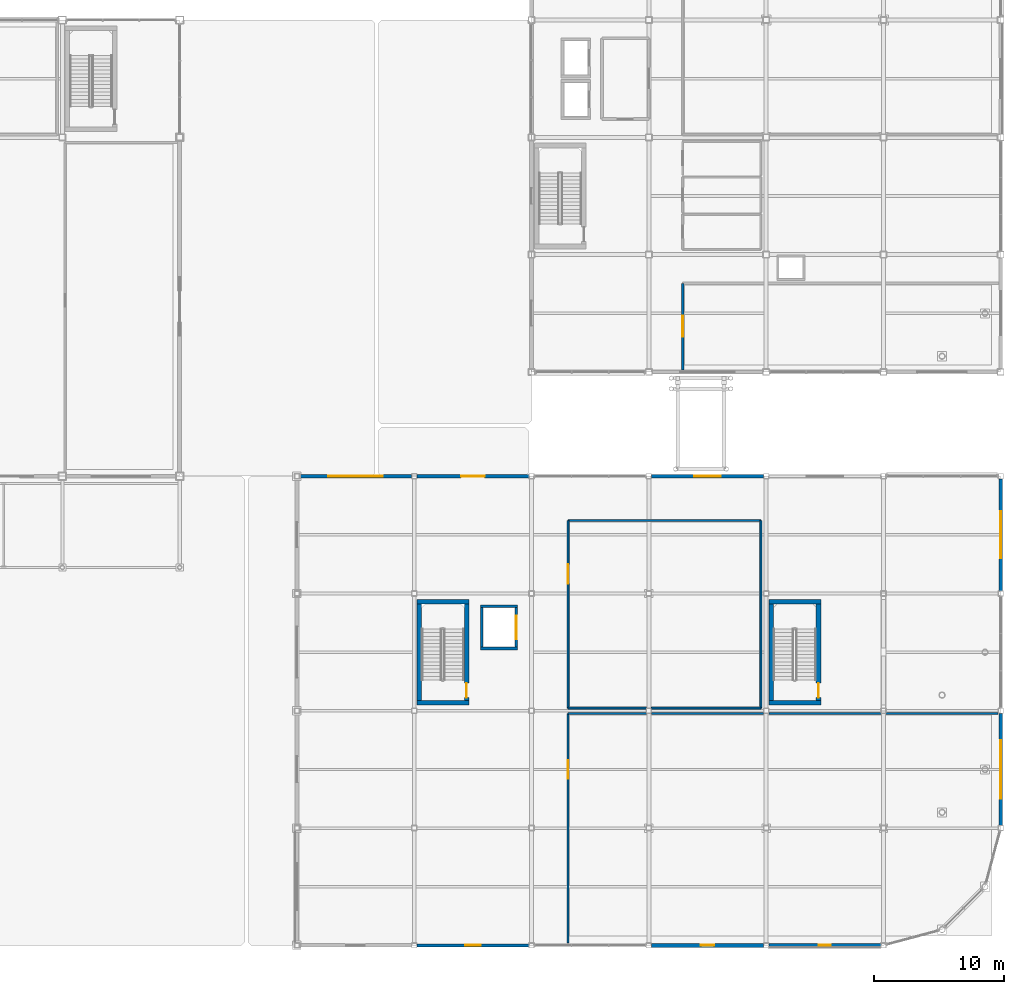
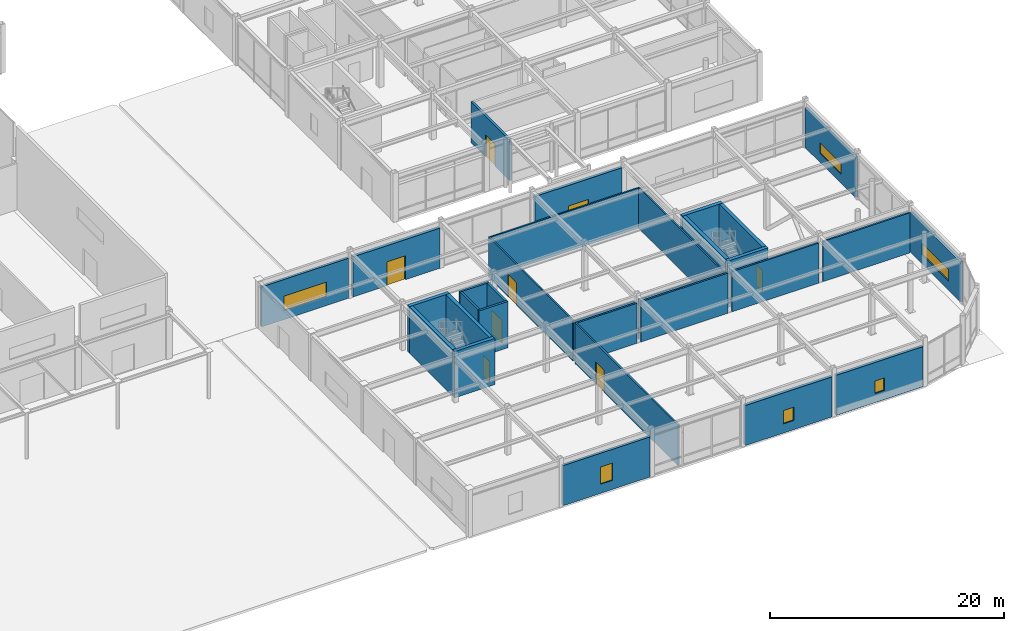
# One storey, part 91 of 123: 31 walls, 7 doors, 7 windows, 14 openings.
"""IFC4 building model written with IfcOpenShell, lengths in metres."""

from ifc_helpers import new_model, si_unit, direction, frame, frame_2d, origin, place, context, subcontext, project, spatial, rectangle, extrude, material, layer, layer_set, type_object, element, fill, save


model = new_model("IFC4")

# Units and contexts
model_context = context("Model", 3, precision=1e-05, world=origin(), true_north=direction((0.0, 1.0)))
body_context = subcontext(model_context, "Body", "Model", "MODEL_VIEW")
ifc_project = project(units=[si_unit("LENGTHUNIT", "METRE"), si_unit("AREAUNIT", "SQUARE_METRE"), si_unit("VOLUMEUNIT", "CUBIC_METRE"), si_unit("PLANEANGLEUNIT", "RADIAN"), si_unit("MASSUNIT", "GRAM", prefix="KILO")], contexts=[model_context])

# Site, building, storey
site_placement = place(None, origin())
site = spatial("IfcSite", under=ifc_project, at=site_placement, CompositionType="ELEMENT")
building_placement = place(site_placement, origin())
building = spatial("IfcBuilding", under=site, at=building_placement, Name="Suzunagisa Mobility Hub", CompositionType="ELEMENT")
storey_placement = place(building_placement, origin())
storey = spatial("IfcBuildingStorey", under=building, at=storey_placement, Name="L00", CompositionType="ELEMENT", Elevation=0.0)

# Wall, opening, window
ifc_material_1 = material(Name="Porcelain-Faced Insulated Concrete C30/37 Wall", Category="concrete")
ifc_layer_1 = layer(ifc_material_1, 0.260009765625)
ifc_layer_set_1 = layer_set([ifc_layer_1], Name="Porcelain-Faced Insulated Concrete C30/37 Wall")
wall_type_1 = type_object("IfcWallType", Name="Exterior Wall EW-03 260mm", PredefinedType="SOLIDWALL", material=ifc_layer_set_1)
wall_1_placement = place(storey_placement, frame((180.0, 9.199951171875, 0.0), z_axis=(0.0, 0.0, 1.0), x_axis=(0.0, 1.0, 0.0)))
wall_1 = element("IfcWall", 1, at=wall_1_placement, inside=storey, type_object=wall_type_1, Name="L00 Exterior Facade Wall EW-286", PredefinedType="SOLIDWALL", context=body_context, shape_type="SweptSolid", body=[
    extrude(rectangle(XDim=8.60009765625, YDim=0.260009765625, at=frame_2d((4.300048828125, 0.0))), origin(), (0.0, 0.0, 1.0), 4.18994140625),
])
opening_1_placement = place(wall_1_placement, frame((2.050048828125, 0.0, 0.949951171875)))
opening_1 = element("IfcOpeningElement", 2, at=opening_1_placement, cuts=wall_1, Name="Opening WN-28", PredefinedType="OPENING", context=body_context, shape_type="SweptSolid", body=[
    extrude(rectangle(XDim=4.5, YDim=1.199951171875, at=frame_2d((2.25, 0.60009765625))), frame((0.0, 0.14111328125, 0.0), z_axis=(0.0, -1.0, 0.0), x_axis=(1.0, 0.0, 0.0)), (0.0, 0.0, 1.0), 0.281982421875),
])
ifc_material_2 = material(Name="Thermally Broken Anodized Aluminum and Low-E Double Glazing", Category="aluminium")
window_type_1 = type_object("IfcWindowType", Name="Aluminum Window WN-28 4500x1200", PartitioningType="SINGLE_PANEL", PredefinedType="WINDOW", material=ifc_material_2)
window_1_placement = place(opening_1_placement, origin())
window_1 = element("IfcWindow", 3, at=window_1_placement, inside=storey, type_object=window_type_1, Name="L00 Scheduled Facade Window WN-93", OverallHeight=1.199951171875, OverallWidth=4.5, PartitioningType="SINGLE_PANEL", PredefinedType="WINDOW", context=body_context, shape_type="SweptSolid", body=[
    extrude(rectangle(XDim=4.5, YDim=1.199951171875, at=frame_2d((2.25, 0.60009765625))), frame((0.0, 0.030029296875, 0.0), z_axis=(0.0, -1.0, 0.0), x_axis=(1.0, 0.0, 0.0)), (0.0, 0.0, 1.0), 0.06005859375),
])
fill(opening_1, window_1)

ifc_material_3 = material(Name="Lightweight Insulated Autoclaved Concrete C30/37 Wall", Category="concrete")
ifc_layer_2 = layer(ifc_material_3, 0.239990234375)
ifc_layer_set_2 = layer_set([ifc_layer_2], Name="Lightweight Insulated Autoclaved Concrete C30/37 Wall")
wall_type_2 = type_object("IfcWallType", Name="Exterior Wall EW-04 240mm", PredefinedType="SOLIDWALL", material=ifc_layer_set_2)
wall_2_placement = place(storey_placement, frame((135.199951171875, 0.0, 0.0), z_axis=(0.0, 0.0, 1.0), x_axis=(1.0, 0.0, 0.0)))
wall_2 = element("IfcWall", 4, at=wall_2_placement, inside=storey, type_object=wall_type_2, Name="L00 Exterior Facade Wall EW-283", PredefinedType="SOLIDWALL", context=body_context, shape_type="SweptSolid", body=[
    extrude(rectangle(XDim=8.60009765625, YDim=0.239990234375, at=frame_2d((4.300048828125, 0.0))), origin(), (0.0, 0.0, 1.0), 4.18994140625),
])
opening_2_placement = place(wall_2_placement, frame((3.699951171875, 0.0, 0.949951171875)))
opening_2 = element("IfcOpeningElement", 5, at=opening_2_placement, cuts=wall_2, Name="Opening WN-10", PredefinedType="OPENING", context=body_context, shape_type="SweptSolid", body=[
    extrude(rectangle(XDim=1.199951171875, YDim=1.800048828125, at=frame_2d((0.60009765625, 0.89990234375))), frame((0.0, 0.130859375, 0.0), z_axis=(0.0, -1.0, 0.0), x_axis=(1.0, 0.0, 0.0)), (0.0, 0.0, 1.0), 0.261962890625),
])
window_type_2 = type_object("IfcWindowType", Name="Aluminum Window WN-10 1200x1800", PartitioningType="SINGLE_PANEL", PredefinedType="WINDOW", material=ifc_material_2)
window_2_placement = place(opening_2_placement, origin())
window_2 = element("IfcWindow", 6, at=window_2_placement, inside=storey, type_object=window_type_2, Name="L00 Scheduled Facade Window WN-90", OverallHeight=1.800048828125, OverallWidth=1.199951171875, PartitioningType="SINGLE_PANEL", PredefinedType="WINDOW", context=body_context, shape_type="SweptSolid", body=[
    extrude(rectangle(XDim=1.199951171875, YDim=1.800048828125, at=frame_2d((0.60009765625, 0.89990234375))), frame((0.0, 0.030029296875, 0.0), z_axis=(0.0, -1.0, 0.0), x_axis=(1.0, 0.0, 0.0)), (0.0, 0.0, 1.0), 0.06005859375),
])
fill(opening_2, window_2)

wall_3_placement = place(storey_placement, frame((180.0, 27.199951171875, 0.0), z_axis=(0.0, 0.0, 1.0), x_axis=(0.0, 1.0, 0.0)))
wall_3 = element("IfcWall", 7, at=wall_3_placement, inside=storey, type_object=wall_type_2, Name="L00 Exterior Facade Wall EW-287", PredefinedType="SOLIDWALL", context=body_context, shape_type="SweptSolid", body=[
    extrude(rectangle(XDim=8.60009765625, YDim=0.239990234375, at=frame_2d((4.300048828125, 0.0))), origin(), (0.0, 0.0, 1.0), 4.18994140625),
])
opening_3_placement = place(wall_3_placement, frame((2.5, 0.0, 0.949951171875)))
opening_3 = element("IfcOpeningElement", 8, at=opening_3_placement, cuts=wall_3, Name="Opening WN-05", PredefinedType="OPENING", context=body_context, shape_type="SweptSolid", body=[
    extrude(rectangle(XDim=3.60009765625, YDim=1.10009765625, at=frame_2d((1.800048828125, 0.550048828125))), frame((0.0, 0.130859375, 0.0), z_axis=(0.0, -1.0, 0.0), x_axis=(1.0, 0.0, 0.0)), (0.0, 0.0, 1.0), 0.261962890625),
])
window_type_3 = type_object("IfcWindowType", Name="Aluminum Window WN-05 3600x1100", PartitioningType="SINGLE_PANEL", PredefinedType="WINDOW", material=ifc_material_2)
window_3_placement = place(opening_3_placement, origin())
window_3 = element("IfcWindow", 9, at=window_3_placement, inside=storey, type_object=window_type_3, Name="L00 Scheduled Facade Window WN-94", OverallHeight=1.10009765625, OverallWidth=3.60009765625, PartitioningType="SINGLE_PANEL", PredefinedType="WINDOW", context=body_context, shape_type="SweptSolid", body=[
    extrude(rectangle(XDim=3.60009765625, YDim=1.10009765625, at=frame_2d((1.800048828125, 0.550048828125))), frame((0.0, 0.030029296875, 0.0), z_axis=(0.0, -1.0, 0.0), x_axis=(1.0, 0.0, 0.0)), (0.0, 0.0, 1.0), 0.06005859375),
])
fill(opening_3, window_3)

wall_4_placement = place(storey_placement, frame((134.800048828125, 36.0, 0.0), z_axis=(0.0, 0.0, 1.0), x_axis=(-1.0, 0.0, 0.0)))
wall_4 = element("IfcWall", 10, at=wall_4_placement, inside=storey, type_object=wall_type_2, Name="L00 Exterior Facade Wall EW-291", PredefinedType="SOLIDWALL", context=body_context, shape_type="SweptSolid", body=[
    extrude(rectangle(XDim=8.60009765625, YDim=0.239990234375, at=frame_2d((4.300048828125, 0.0))), origin(), (0.0, 0.0, 1.0), 4.18994140625),
])
opening_4_placement = place(wall_4_placement, frame((2.199951171875, 0.0, 0.949951171875)))
opening_4 = element("IfcOpeningElement", 11, at=opening_4_placement, cuts=wall_4, Name="Opening WN-22", PredefinedType="OPENING", context=body_context, shape_type="SweptSolid", body=[
    extrude(rectangle(XDim=4.199951171875, YDim=1.5, at=frame_2d((2.10009765625, 0.75))), frame((0.0, 0.130859375, 0.0), z_axis=(0.0, -1.0, 0.0), x_axis=(1.0, 0.0, 0.0)), (0.0, 0.0, 1.0), 0.261962890625),
])
window_type_4 = type_object("IfcWindowType", Name="Aluminum Window WN-22 4200x1500", PartitioningType="SINGLE_PANEL", PredefinedType="WINDOW", material=ifc_material_2)
window_4_placement = place(opening_4_placement, origin())
window_4 = element("IfcWindow", 12, at=window_4_placement, inside=storey, type_object=window_type_4, Name="L00 Scheduled Facade Window WN-97", OverallHeight=1.5, OverallWidth=4.199951171875, PartitioningType="SINGLE_PANEL", PredefinedType="WINDOW", context=body_context, shape_type="SweptSolid", body=[
    extrude(rectangle(XDim=4.199951171875, YDim=1.5, at=frame_2d((2.10009765625, 0.75))), frame((0.0, 0.030029296875, 0.0), z_axis=(0.0, -1.0, 0.0), x_axis=(1.0, 0.0, 0.0)), (0.0, 0.0, 1.0), 0.06005859375),
])
fill(opening_4, window_4)

ifc_layer_3 = layer(ifc_material_1, 0.280029296875)
ifc_layer_set_3 = layer_set([ifc_layer_3], Name="Porcelain-Faced Insulated Concrete C30/37 Wall")
wall_type_3 = type_object("IfcWallType", Name="Exterior Wall EW-08 280mm", PredefinedType="SOLIDWALL", material=ifc_layer_set_3)
wall_5_placement = place(storey_placement, frame((162.199951171875, 0.0, 0.0), z_axis=(0.0, 0.0, 1.0), x_axis=(1.0, 0.0, 0.0)))
wall_5 = element("IfcWall", 13, at=wall_5_placement, inside=storey, type_object=wall_type_3, Name="L00 Exterior Facade Wall EW-285", PredefinedType="SOLIDWALL", context=body_context, shape_type="SweptSolid", body=[
    extrude(rectangle(XDim=8.60009765625, YDim=0.280029296875, at=frame_2d((4.300048828125, 0.0))), origin(), (0.0, 0.0, 1.0), 4.18994140625),
])
opening_5_placement = place(wall_5_placement, frame((3.85009765625, 0.0, 0.949951171875)))
opening_5 = element("IfcOpeningElement", 14, at=opening_5_placement, cuts=wall_5, Name="Opening WN-14", PredefinedType="OPENING", context=body_context, shape_type="SweptSolid", body=[
    extrude(rectangle(XDim=0.89990234375, YDim=1.300048828125, at=frame_2d((0.449951171875, 0.64990234375))), frame((0.0, 0.15087890625, 0.0), z_axis=(0.0, -1.0, 0.0), x_axis=(1.0, 0.0, 0.0)), (0.0, 0.0, 1.0), 0.302001953125),
])
window_type_5 = type_object("IfcWindowType", Name="Aluminum Window WN-14 900x1300", PartitioningType="SINGLE_PANEL", PredefinedType="WINDOW", material=ifc_material_2)
window_5_placement = place(opening_5_placement, origin())
window_5 = element("IfcWindow", 15, at=window_5_placement, inside=storey, type_object=window_type_5, Name="L00 Scheduled Facade Window WN-92", OverallHeight=1.300048828125, OverallWidth=0.89990234375, PartitioningType="SINGLE_PANEL", PredefinedType="WINDOW", context=body_context, shape_type="SweptSolid", body=[
    extrude(rectangle(XDim=0.89990234375, YDim=1.300048828125, at=frame_2d((0.449951171875, 0.64990234375))), frame((0.0, 0.030029296875, 0.0), z_axis=(0.0, -1.0, 0.0), x_axis=(1.0, 0.0, 0.0)), (0.0, 0.0, 1.0), 0.06005859375),
])
fill(opening_5, window_5)

wall_6_placement = place(storey_placement, frame((161.800048828125, 36.0, 0.0), z_axis=(0.0, 0.0, 1.0), x_axis=(-1.0, 0.0, 0.0)))
wall_6 = element("IfcWall", 16, at=wall_6_placement, inside=storey, type_object=wall_type_3, Name="L00 Exterior Facade Wall EW-289", PredefinedType="SOLIDWALL", context=body_context, shape_type="SweptSolid", body=[
    extrude(rectangle(XDim=8.60009765625, YDim=0.280029296875, at=frame_2d((4.300048828125, 0.0))), origin(), (0.0, 0.0, 1.0), 4.18994140625),
])
opening_6_placement = place(wall_6_placement, frame((3.300048828125, 0.0, 0.949951171875)))
opening_6 = element("IfcOpeningElement", 17, at=opening_6_placement, cuts=wall_6, Name="Opening WN-26", PredefinedType="OPENING", context=body_context, shape_type="SweptSolid", body=[
    extrude(rectangle(XDim=2.0, YDim=1.10009765625, at=frame_2d((1.0, 0.550048828125))), frame((0.0, 0.15087890625, 0.0), z_axis=(0.0, -1.0, 0.0), x_axis=(1.0, 0.0, 0.0)), (0.0, 0.0, 1.0), 0.302001953125),
])
window_type_6 = type_object("IfcWindowType", Name="Aluminum Window WN-26 2000x1100", PartitioningType="SINGLE_PANEL", PredefinedType="WINDOW", material=ifc_material_2)
window_6_placement = place(opening_6_placement, origin())
window_6 = element("IfcWindow", 18, at=window_6_placement, inside=storey, type_object=window_type_6, Name="L00 Scheduled Facade Window WN-96", OverallHeight=1.10009765625, OverallWidth=2.0, PartitioningType="SINGLE_PANEL", PredefinedType="WINDOW", context=body_context, shape_type="SweptSolid", body=[
    extrude(rectangle(XDim=2.0, YDim=1.10009765625, at=frame_2d((1.0, 0.550048828125))), frame((0.0, 0.030029296875, 0.0), z_axis=(0.0, -1.0, 0.0), x_axis=(1.0, 0.0, 0.0)), (0.0, 0.0, 1.0), 0.06005859375),
])
fill(opening_6, window_6)

ifc_material_4 = material(Name="Insulated Precast Concrete C35/45 Panel", Category="concrete")
ifc_layer_4 = layer(ifc_material_4, 0.300048828125)
ifc_layer_set_4 = layer_set([ifc_layer_4], Name="Insulated Precast Concrete C35/45 Panel")
wall_type_4 = type_object("IfcWallType", Name="Exterior Wall EW-09 300mm", PredefinedType="SOLIDWALL", material=ifc_layer_set_4)
wall_7_placement = place(storey_placement, frame((153.199951171875, 0.0, 0.0), z_axis=(0.0, 0.0, 1.0), x_axis=(1.0, 0.0, 0.0)))
wall_7 = element("IfcWall", 19, at=wall_7_placement, inside=storey, type_object=wall_type_4, Name="L00 Exterior Facade Wall EW-284", PredefinedType="SOLIDWALL", context=body_context, shape_type="SweptSolid", body=[
    extrude(rectangle(XDim=8.60009765625, YDim=0.300048828125, at=frame_2d((4.300048828125, 0.0))), origin(), (0.0, 0.0, 1.0), 4.18994140625),
])
opening_7_placement = place(wall_7_placement, frame((3.800048828125, 0.0, 0.949951171875)))
opening_7 = element("IfcOpeningElement", 20, at=opening_7_placement, cuts=wall_7, Name="Opening WN-21", PredefinedType="OPENING", context=body_context, shape_type="SweptSolid", body=[
    extrude(rectangle(XDim=1.0, YDim=1.39990234375, at=frame_2d((0.5, 0.699951171875))), frame((0.0, 0.1611328125, 0.0), z_axis=(0.0, -1.0, 0.0), x_axis=(1.0, 0.0, 0.0)), (0.0, 0.0, 1.0), 0.322021484375),
])
window_type_7 = type_object("IfcWindowType", Name="Aluminum Window WN-21 1000x1400", PartitioningType="SINGLE_PANEL", PredefinedType="WINDOW", material=ifc_material_2)
window_7_placement = place(opening_7_placement, origin())
window_7 = element("IfcWindow", 21, at=window_7_placement, inside=storey, type_object=window_type_7, Name="L00 Scheduled Facade Window WN-91", OverallHeight=1.39990234375, OverallWidth=1.0, PartitioningType="SINGLE_PANEL", PredefinedType="WINDOW", context=body_context, shape_type="SweptSolid", body=[
    extrude(rectangle(XDim=1.0, YDim=1.39990234375, at=frame_2d((0.5, 0.699951171875))), frame((0.0, 0.030029296875, 0.0), z_axis=(0.0, -1.0, 0.0), x_axis=(1.0, 0.0, 0.0)), (0.0, 0.0, 1.0), 0.06005859375),
])
fill(opening_7, window_7)

# Wall, opening, door
wall_8_placement = place(storey_placement, frame((143.800048828125, 36.0, 0.0), z_axis=(0.0, 0.0, 1.0), x_axis=(-1.0, 0.0, 0.0)))
wall_8 = element("IfcWall", 22, at=wall_8_placement, inside=storey, type_object=wall_type_4, Name="L00 Entrance Portal Wall 290", PredefinedType="SOLIDWALL", context=body_context, shape_type="SweptSolid", body=[
    extrude(rectangle(XDim=8.60009765625, YDim=0.300048828125, at=frame_2d((4.300048828125, 0.0))), origin(), (0.0, 0.0, 1.0), 4.18994140625),
])
opening_8_placement = place(wall_8_placement, frame((5.199951171875, 0.0, 0.0), z_axis=(0.0, 0.0, 1.0), x_axis=(-1.0, 0.0, 0.0)))
opening_8 = element("IfcOpeningElement", 23, at=opening_8_placement, cuts=wall_8, Name="Opening ED-11", PredefinedType="OPENING", context=body_context, shape_type="SweptSolid", body=[
    extrude(rectangle(XDim=1.800048828125, YDim=2.5, at=frame_2d((0.89990234375, 1.25))), frame((0.0, 0.1611328125, 0.0), z_axis=(0.0, -1.0, 0.0), x_axis=(1.0, 0.0, 0.0)), (0.0, 0.0, 1.0), 0.322021484375),
])
ifc_material_5 = material(Name="Anodized Aluminum and Tempered Safety Glass", Category="aluminium")
door_type_1 = type_object("IfcDoorType", Name="Exterior Glazed Aluminum Door ED-11 1800x2500", OperationType="DOUBLE_DOOR_SINGLE_SWING", PredefinedType="DOOR", material=ifc_material_5)
door_1_placement = place(opening_8_placement, origin())
door_1 = element("IfcDoor", 24, at=door_1_placement, inside=storey, type_object=door_type_1, Name="L00 Pedestrian Final Exit Door EX-30", OperationType="SINGLE_SWING_LEFT", OverallHeight=2.5, OverallWidth=1.800048828125, PredefinedType="DOOR", context=body_context, shape_type="SweptSolid", body=[
    extrude(rectangle(XDim=1.800048828125, YDim=2.5, at=frame_2d((0.89990234375, 1.25))), frame((0.0, 0.02490234375, 0.0), z_axis=(0.0, -1.0, 0.0), x_axis=(1.0, 0.0, 0.0)), (0.0, 0.0, 1.0), 0.050048828125),
])
fill(opening_8, door_1)

ifc_material_6 = material(Name="Fire-Rated Gypsum Stud Partition", Category="gypsum")
ifc_layer_5 = layer(ifc_material_6, 0.2099609375)
ifc_layer_set_5 = layer_set([ifc_layer_5], Name="Fire-Rated Gypsum Stud Partition")
wall_type_5 = type_object("IfcWallType", Name="Interior Wall IW-03 210mm", PredefinedType="PARTITIONING", material=ifc_layer_set_5)
wall_9_placement = place(storey_placement, frame((142.824951171875, 22.8798828125, 0.0), z_axis=(0.0, 0.0, 1.0), x_axis=(0.0, 1.0, 0.0)))
wall_9 = element("IfcWall", 25, at=wall_9_placement, inside=storey, type_object=wall_type_5, Name="L00 Lift LF-08 Shaft Front Wall", PredefinedType="PARTITIONING", context=body_context, shape_type="SweptSolid", body=[
    extrude(rectangle(XDim=3.0400390625, YDim=0.2099609375, at=frame_2d((1.52001953125, 0.0))), origin(), (0.0, 0.0, 1.0), 4.840087890625),
])
opening_9_placement = place(wall_9_placement, frame((0.6201171875, 0.0, 0.0)))
opening_9 = element("IfcOpeningElement", 26, at=opening_9_placement, cuts=wall_9, Name="Opening LD-04", PredefinedType="OPENING", context=body_context, shape_type="SweptSolid", body=[
    extrude(rectangle(XDim=1.800048828125, YDim=2.39990234375, at=frame_2d((0.89990234375, 1.199951171875))), frame((0.0, 0.115966796875, 0.0), z_axis=(0.0, -1.0, 0.0), x_axis=(1.0, 0.0, 0.0)), (0.0, 0.0, 1.0), 0.23193359375),
])
ifc_material_7 = material(Name="Brushed Stainless Steel SUS304", Category="metal")
door_type_2 = type_object("IfcDoorType", Name="Lift Landing Sliding Door LD-04 1800x2400", OperationType="SLIDING_TO_LEFT", PredefinedType="DOOR", material=ifc_material_7)
door_2_placement = place(opening_9_placement, origin())
door_2 = element("IfcDoor", 27, at=door_2_placement, inside=storey, type_object=door_type_2, Name="L00 Lift LF-08 Sliding Landing Door", OperationType="SLIDING_TO_LEFT", OverallHeight=2.39990234375, OverallWidth=1.800048828125, PredefinedType="DOOR", context=body_context, shape_type="SweptSolid", body=[
    extrude(rectangle(XDim=1.800048828125, YDim=2.39990234375, at=frame_2d((0.89990234375, 1.199951171875))), frame((0.0, 0.02490234375, 0.0), z_axis=(0.0, -1.0, 0.0), x_axis=(1.0, 0.0, 0.0)), (0.0, 0.0, 1.0), 0.050048828125),
])
fill(opening_9, door_2)

# Walls
wall_10_placement = place(storey_placement, frame((140.175048828125, 22.8798828125, 0.0), z_axis=(0.0, 0.0, 1.0), x_axis=(0.0, 1.0, 0.0)))
element("IfcWall", 28, at=wall_10_placement, inside=storey, type_object=wall_type_5, Name="L00 Lift LF-08 Shaft Back Wall", PredefinedType="PARTITIONING", context=body_context, shape_type="SweptSolid", body=[
    extrude(rectangle(XDim=3.0400390625, YDim=0.2099609375, at=frame_2d((1.52001953125, 0.0))), origin(), (0.0, 0.0, 1.0), 4.840087890625),
])
for number, where, z_axis, x_axis, name in (
    (29, (140.070068359375, 22.77490234375, 0.0), (0.0, 0.0, 1.0), (1.0, 0.0, 0.0), "L00 Lift LF-08 Shaft South Wall"),
    (30, (140.070068359375, 26.02490234375, 0.0), (0.0, 0.0, 1.0), (1.0, 0.0, 0.0), "L00 Lift LF-08 Shaft North Wall"),
):
    element("IfcWall", number, at=place(storey_placement, frame(where, z_axis=z_axis, x_axis=x_axis)), inside=storey, type_object=wall_type_5, Name=name, PredefinedType="PARTITIONING", context=body_context, shape_type="SweptSolid", body=[
        extrude(rectangle(XDim=2.85986328125, YDim=0.2099609375, at=frame_2d((1.429931640625, 0.0))), origin(), (0.0, 0.0, 1.0), 4.840087890625),
    ])

# Wall, opening, door
wall_11_placement = place(storey_placement, frame((155.60009765625, 44.1650390625, 0.0), z_axis=(0.0, 0.0, 1.0), x_axis=(0.0, 1.0, 0.0)))
wall_11 = element("IfcWall", 31, at=wall_11_placement, inside=storey, type_object=wall_type_5, Name="L00 Central Fire Command and Disaster Prevention Bosai Room Partition PW-751", PredefinedType="PARTITIONING", context=body_context, shape_type="SweptSolid", body=[
    extrude(rectangle(XDim=6.635009765625, YDim=0.2099609375, at=frame_2d((3.3173828125, 0.0))), origin(), (0.0, 0.0, 1.0), 4.251953125),
])
opening_10_placement = place(wall_11_placement, frame((2.534912109375, 0.0, 0.0)))
opening_10 = element("IfcOpeningElement", 32, at=opening_10_placement, cuts=wall_11, Name="Opening DR-26", PredefinedType="OPENING", context=body_context, shape_type="SweptSolid", body=[
    extrude(rectangle(XDim=1.60009765625, YDim=2.300048828125, at=frame_2d((0.800048828125, 1.14990234375))), frame((0.0, 0.115966796875, 0.0), z_axis=(0.0, -1.0, 0.0), x_axis=(1.0, 0.0, 0.0)), (0.0, 0.0, 1.0), 0.23193359375),
])
ifc_material_8 = material(Name="Heavy Plant Double Steel Fire Door", Category="steel")
door_type_3 = type_object("IfcDoorType", Name="Interior Door DR-26 1600x2300", OperationType="SINGLE_SWING_LEFT", PredefinedType="DOOR", material=ifc_material_8)
door_3_placement = place(opening_10_placement, origin())
door_3 = element("IfcDoor", 33, at=door_3_placement, inside=storey, type_object=door_type_3, Name="L00 Central Fire Command and Disaster Prevention Bosai Room Door DR-189", OperationType="SINGLE_SWING_RIGHT", OverallHeight=2.300048828125, OverallWidth=1.60009765625, PredefinedType="DOOR", context=body_context, shape_type="SweptSolid", body=[
    extrude(rectangle(XDim=1.60009765625, YDim=2.300048828125, at=frame_2d((0.800048828125, 1.14990234375))), frame((0.0, 0.02490234375, 0.0), z_axis=(0.0, -1.0, 0.0), x_axis=(1.0, 0.0, 0.0)), (0.0, 0.0, 1.0), 0.050048828125),
])
fill(opening_10, door_3)

# Walls
ifc_material_9 = material(Name="Concrete C35/45", Category="concrete")
ifc_layer_6 = layer(ifc_material_9, 0.35009765625)
ifc_layer_set_6 = layer_set([ifc_layer_6], Name="Concrete C35/45")
wall_type_6 = type_object("IfcWallType", Name="Interior Wall IW-04 350mm", PredefinedType="SHEAR", material=ifc_layer_set_6)
for number, where, z_axis, x_axis, name in (
    (34, (135.2099609375, 18.625, 0.0), (0.0, 0.0, 1.0), (1.0, 0.0, 0.0), "L00 Core C7 Shear Wall SW-309"),
    (35, (135.2099609375, 26.375, 0.0), (0.0, 0.0, 1.0), (1.0, 0.0, 0.0), "L00 Core C7 Shear Wall SW-310"),
):
    element("IfcWall", number, at=place(storey_placement, frame(where, z_axis=z_axis, x_axis=x_axis)), inside=storey, type_object=wall_type_6, Name=name, PredefinedType="SHEAR", context=body_context, shape_type="SweptSolid", body=[
        extrude(rectangle(XDim=3.97998046875, YDim=0.35009765625, at=frame_2d((1.989990234375, 0.0))), origin(), (0.0, 0.0, 1.0), 4.840087890625),
    ])
wall_12_placement = place(storey_placement, frame((135.385009765625, 18.800048828125, 0.0), z_axis=(0.0, 0.0, 1.0), x_axis=(0.0, 1.0, 0.0)))
element("IfcWall", 36, at=wall_12_placement, inside=storey, type_object=wall_type_6, Name="L00 Core C7 Shear Wall SW-311", PredefinedType="SHEAR", context=body_context, shape_type="SweptSolid", body=[
    extrude(rectangle(XDim=7.39990234375, YDim=0.35009765625, at=frame_2d((3.699951171875, 0.0))), origin(), (0.0, 0.0, 1.0), 4.840087890625),
])

# Wall, opening, door
wall_13_placement = place(storey_placement, frame((139.014892578125, 18.800048828125, 0.0), z_axis=(0.0, 0.0, 1.0), x_axis=(0.0, 1.0, 0.0)))
wall_13 = element("IfcWall", 37, at=wall_13_placement, inside=storey, type_object=wall_type_6, Name="L00 Core C7 Shear Wall SW-312", PredefinedType="SHEAR", context=body_context, shape_type="SweptSolid", body=[
    extrude(rectangle(XDim=7.39990234375, YDim=0.35009765625, at=frame_2d((3.699951171875, 0.0))), origin(), (0.0, 0.0, 1.0), 4.840087890625),
])
opening_11_placement = place(wall_13_placement, frame((0.219970703125, 0.0, 0.0)))
opening_11 = element("IfcOpeningElement", 38, at=opening_11_placement, cuts=wall_13, Name="Opening DR-05", PredefinedType="OPENING", context=body_context, shape_type="SweptSolid", body=[
    extrude(rectangle(XDim=1.10009765625, YDim=2.14990234375, at=frame_2d((0.550048828125, 1.074951171875))), frame((0.0, 0.18603515625, 0.0), z_axis=(0.0, -1.0, 0.0), x_axis=(1.0, 0.0, 0.0)), (0.0, 0.0, 1.0), 0.3720703125),
])
ifc_material_10 = material(Name="Fire-Rated Hollow Steel Stair Door", Category="steel")
door_type_4 = type_object("IfcDoorType", Name="Interior Door DR-05 1100x2150", OperationType="SINGLE_SWING_LEFT", PredefinedType="DOOR", material=ifc_material_10)
door_4_placement = place(opening_11_placement, origin())
door_4 = element("IfcDoor", 39, at=door_4_placement, inside=storey, type_object=door_type_4, Name="L00 Core C7 Escape Stair Fire Door SD-76", OperationType="SINGLE_SWING_LEFT", OverallHeight=2.14990234375, OverallWidth=1.10009765625, PredefinedType="DOOR", context=body_context, shape_type="SweptSolid", body=[
    extrude(rectangle(XDim=1.10009765625, YDim=2.14990234375, at=frame_2d((0.550048828125, 1.074951171875))), frame((0.0, 0.02490234375, 0.0), z_axis=(0.0, -1.0, 0.0), x_axis=(1.0, 0.0, 0.0)), (0.0, 0.0, 1.0), 0.050048828125),
])
fill(opening_11, door_4)

# Walls
for number, where, z_axis, x_axis, name in (
    (40, (162.2099609375, 18.625, 0.0), (0.0, 0.0, 1.0), (1.0, 0.0, 0.0), "L00 Core C7B Shear Wall SW-349"),
    (41, (162.2099609375, 26.375, 0.0), (0.0, 0.0, 1.0), (1.0, 0.0, 0.0), "L00 Core C7B Shear Wall SW-350"),
):
    element("IfcWall", number, at=place(storey_placement, frame(where, z_axis=z_axis, x_axis=x_axis)), inside=storey, type_object=wall_type_6, Name=name, PredefinedType="SHEAR", context=body_context, shape_type="SweptSolid", body=[
        extrude(rectangle(XDim=3.97998046875, YDim=0.35009765625, at=frame_2d((1.989990234375, 0.0))), origin(), (0.0, 0.0, 1.0), 4.840087890625),
    ])
wall_14_placement = place(storey_placement, frame((162.385009765625, 18.800048828125, 0.0), z_axis=(0.0, 0.0, 1.0), x_axis=(0.0, 1.0, 0.0)))
element("IfcWall", 42, at=wall_14_placement, inside=storey, type_object=wall_type_6, Name="L00 Core C7B Shear Wall SW-351", PredefinedType="SHEAR", context=body_context, shape_type="SweptSolid", body=[
    extrude(rectangle(XDim=7.39990234375, YDim=0.35009765625, at=frame_2d((3.699951171875, 0.0))), origin(), (0.0, 0.0, 1.0), 4.840087890625),
])

# Wall, opening, door
wall_15_placement = place(storey_placement, frame((166.014892578125, 18.800048828125, 0.0), z_axis=(0.0, 0.0, 1.0), x_axis=(0.0, 1.0, 0.0)))
wall_15 = element("IfcWall", 43, at=wall_15_placement, inside=storey, type_object=wall_type_6, Name="L00 Core C7B Shear Wall SW-352", PredefinedType="SHEAR", context=body_context, shape_type="SweptSolid", body=[
    extrude(rectangle(XDim=7.39990234375, YDim=0.35009765625, at=frame_2d((3.699951171875, 0.0))), origin(), (0.0, 0.0, 1.0), 4.840087890625),
])
opening_12_placement = place(wall_15_placement, frame((0.219970703125, 0.0, 0.0)))
opening_12 = element("IfcOpeningElement", 44, at=opening_12_placement, cuts=wall_15, Name="Opening DR-05", PredefinedType="OPENING", context=body_context, shape_type="SweptSolid", body=[
    extrude(rectangle(XDim=1.10009765625, YDim=2.14990234375, at=frame_2d((0.550048828125, 1.074951171875))), frame((0.0, 0.18603515625, 0.0), z_axis=(0.0, -1.0, 0.0), x_axis=(1.0, 0.0, 0.0)), (0.0, 0.0, 1.0), 0.3720703125),
])
door_5_placement = place(opening_12_placement, origin())
door_5 = element("IfcDoor", 45, at=door_5_placement, inside=storey, type_object=door_type_4, Name="L00 Core C7B Escape Stair Fire Door SD-85", OperationType="SINGLE_SWING_RIGHT", OverallHeight=2.14990234375, OverallWidth=1.10009765625, PredefinedType="DOOR", context=body_context, shape_type="SweptSolid", body=[
    extrude(rectangle(XDim=1.10009765625, YDim=2.14990234375, at=frame_2d((0.550048828125, 1.074951171875))), frame((0.0, 0.02490234375, 0.0), z_axis=(0.0, -1.0, 0.0), x_axis=(1.0, 0.0, 0.0)), (0.0, 0.0, 1.0), 0.050048828125),
])
fill(opening_12, door_5)

# Walls
ifc_layer_7 = layer(ifc_material_6, 0.169921875)
ifc_layer_set_7 = layer_set([ifc_layer_7], Name="Fire-Rated Gypsum Stud Partition")
wall_type_7 = type_object("IfcWallType", Name="Interior Wall IW-05 170mm", PredefinedType="PARTITIONING", material=ifc_layer_set_7)
wall_16_placement = place(storey_placement, frame((146.800048828125, 17.800048828125, 0.0), z_axis=(0.0, 0.0, 1.0), x_axis=(1.0, 0.0, 0.0)))
element("IfcWall", 46, at=wall_16_placement, inside=storey, type_object=wall_type_7, Name="L00 Articulated Bus Inspection and Service Bay South Partition PW-735", PredefinedType="PARTITIONING", context=body_context, shape_type="SweptSolid", body=[
    extrude(rectangle(XDim=6.0, YDim=0.169921875, at=frame_2d((3.0, 0.0))), origin(), (0.0, 0.0, 1.0), 4.18994140625),
])
for number, where, z_axis, x_axis, name in (
    (47, (153.199951171875, 17.800048828125, 0.0), (0.0, 0.0, 1.0), (1.0, 0.0, 0.0), "L00 Articulated Bus Inspection and Service Bay South Partition PW-736"),
    (48, (162.199951171875, 17.800048828125, 0.0), (0.0, 0.0, 1.0), (1.0, 0.0, 0.0), "L00 Articulated Bus Inspection and Service Bay South Partition PW-737"),
    (49, (171.199951171875, 17.800048828125, 0.0), (0.0, 0.0, 1.0), (1.0, 0.0, 0.0), "L00 Articulated Bus Inspection and Service Bay South Partition PW-738"),
):
    element("IfcWall", number, at=place(storey_placement, frame(where, z_axis=z_axis, x_axis=x_axis)), inside=storey, type_object=wall_type_7, Name=name, PredefinedType="PARTITIONING", context=body_context, shape_type="SweptSolid", body=[
        extrude(rectangle(XDim=8.60009765625, YDim=0.169921875, at=frame_2d((4.300048828125, 0.0))), origin(), (0.0, 0.0, 1.0), 4.18994140625),
    ])

# Wall, opening, door
wall_17_placement = place(storey_placement, frame((146.800048828125, 0.1650390625, 0.0), z_axis=(0.0, 0.0, 1.0), x_axis=(0.0, 1.0, 0.0)))
wall_17 = element("IfcWall", 50, at=wall_17_placement, inside=storey, type_object=wall_type_7, Name="L00 Articulated Bus Inspection and Service Bay South Partition PW-739", PredefinedType="PARTITIONING", context=body_context, shape_type="SweptSolid", body=[
    extrude(rectangle(XDim=17.635009765625, YDim=0.169921875, at=frame_2d((8.8173828125, 0.0))), origin(), (0.0, 0.0, 1.0), 4.239990234375),
])
opening_13_placement = place(wall_17_placement, frame((12.625, 0.0, 0.0)))
opening_13 = element("IfcOpeningElement", 51, at=opening_13_placement, cuts=wall_17, Name="Opening DR-31", PredefinedType="OPENING", context=body_context, shape_type="SweptSolid", body=[
    extrude(rectangle(XDim=1.419921875, YDim=2.300048828125, at=frame_2d((0.7099609375, 1.14990234375))), frame((0.0, 0.095947265625, 0.0), z_axis=(0.0, -1.0, 0.0), x_axis=(1.0, 0.0, 0.0)), (0.0, 0.0, 1.0), 0.19189453125),
])
ifc_material_11 = material(Name="Anodized Aluminum Leaf-and-Half Door", Category="aluminium")
door_type_5 = type_object("IfcDoorType", Name="Interior Door DR-31 1420x2300", OperationType="SINGLE_SWING_LEFT", PredefinedType="DOOR", material=ifc_material_11)
door_6_placement = place(opening_13_placement, origin())
door_6 = element("IfcDoor", 52, at=door_6_placement, inside=storey, type_object=door_type_5, Name="L00 Articulated Bus Inspection and Service Bay South Door DR-185", OperationType="SINGLE_SWING_RIGHT", OverallHeight=2.300048828125, OverallWidth=1.419921875, PredefinedType="DOOR", context=body_context, shape_type="SweptSolid", body=[
    extrude(rectangle(XDim=1.419921875, YDim=2.300048828125, at=frame_2d((0.7099609375, 1.14990234375))), frame((0.0, 0.02490234375, 0.0), z_axis=(0.0, -1.0, 0.0), x_axis=(1.0, 0.0, 0.0)), (0.0, 0.0, 1.0), 0.050048828125),
])
fill(opening_13, door_6)

# Walls
ifc_material_12 = material(Name="Acoustic Steel-Stud Gypsum Partition", Category="steel")
ifc_layer_8 = layer(ifc_material_12, 0.14501953125)
ifc_layer_set_8 = layer_set([ifc_layer_8], Name="Acoustic Steel-Stud Gypsum Partition")
wall_type_8 = type_object("IfcWallType", Name="Interior Wall IW-06 145mm", PredefinedType="PARTITIONING", material=ifc_layer_set_8)
wall_18_placement = place(storey_placement, frame((146.800048828125, 18.199951171875, 0.0), z_axis=(0.0, 0.0, 1.0), x_axis=(1.0, 0.0, 0.0)))
element("IfcWall", 53, at=wall_18_placement, inside=storey, type_object=wall_type_8, Name="L00 Fleet Tyre, Brake and Chassis Workshop L00 Partition PW-740", PredefinedType="PARTITIONING", context=body_context, shape_type="SweptSolid", body=[
    extrude(rectangle(XDim=6.0, YDim=0.14501953125, at=frame_2d((3.0, 0.0))), origin(), (0.0, 0.0, 1.0), 4.18994140625),
])
wall_19_placement = place(storey_placement, frame((153.199951171875, 18.199951171875, 0.0), z_axis=(0.0, 0.0, 1.0), x_axis=(1.0, 0.0, 0.0)))
element("IfcWall", 54, at=wall_19_placement, inside=storey, type_object=wall_type_8, Name="L00 Fleet Tyre, Brake and Chassis Workshop L00 Partition PW-741", PredefinedType="PARTITIONING", context=body_context, shape_type="SweptSolid", body=[
    extrude(rectangle(XDim=8.400146484375, YDim=0.14501953125, at=frame_2d((4.2001953125, 0.0))), origin(), (0.0, 0.0, 1.0), 4.18994140625),
])
wall_20_placement = place(storey_placement, frame((146.800048828125, 32.60009765625, 0.0), z_axis=(0.0, 0.0, 1.0), x_axis=(1.0, 0.0, 0.0)))
element("IfcWall", 55, at=wall_20_placement, inside=storey, type_object=wall_type_8, Name="L00 Fleet Tyre, Brake and Chassis Workshop L00 Partition PW-742", PredefinedType="PARTITIONING", context=body_context, shape_type="SweptSolid", body=[
    extrude(rectangle(XDim=14.800048828125, YDim=0.14501953125, at=frame_2d((7.39990234375, 0.0))), origin(), (0.0, 0.0, 1.0), 4.18994140625),
])

# Wall, opening, door
wall_21_placement = place(storey_placement, frame((146.800048828125, 18.199951171875, 0.0), z_axis=(0.0, 0.0, 1.0), x_axis=(0.0, 1.0, 0.0)))
wall_21 = element("IfcWall", 56, at=wall_21_placement, inside=storey, type_object=wall_type_8, Name="L00 Fleet Tyre, Brake and Chassis Workshop L00 Partition PW-743", PredefinedType="PARTITIONING", context=body_context, shape_type="SweptSolid", body=[
    extrude(rectangle(XDim=14.400146484375, YDim=0.14501953125, at=frame_2d((7.2001953125, 0.0))), origin(), (0.0, 0.0, 1.0), 4.239990234375),
])
opening_14_placement = place(wall_21_placement, frame((9.56005859375, 0.0, 0.0)))
opening_14 = element("IfcOpeningElement", 57, at=opening_14_placement, cuts=wall_21, Name="Opening DR-23", PredefinedType="OPENING", context=body_context, shape_type="SweptSolid", body=[
    extrude(rectangle(XDim=1.47998046875, YDim=2.35009765625, at=frame_2d((0.739990234375, 1.175048828125))), frame((0.0, 0.08349609375, 0.0), z_axis=(0.0, -1.0, 0.0), x_axis=(1.0, 0.0, 0.0)), (0.0, 0.0, 1.0), 0.1669921875),
])
ifc_material_13 = material(Name="Anodized Aluminum Double Lounge Door", Category="aluminium")
door_type_6 = type_object("IfcDoorType", Name="Interior Door DR-23 1480x2350", OperationType="SINGLE_SWING_LEFT", PredefinedType="DOOR", material=ifc_material_13)
door_7_placement = place(opening_14_placement, origin())
door_7 = element("IfcDoor", 58, at=door_7_placement, inside=storey, type_object=door_type_6, Name="L00 Fleet Tyre, Brake and Chassis Workshop L00 Door DR-186", OperationType="SINGLE_SWING_LEFT", OverallHeight=2.35009765625, OverallWidth=1.47998046875, PredefinedType="DOOR", context=body_context, shape_type="SweptSolid", body=[
    extrude(rectangle(XDim=1.47998046875, YDim=2.35009765625, at=frame_2d((0.739990234375, 1.175048828125))), frame((0.0, 0.02490234375, 0.0), z_axis=(0.0, -1.0, 0.0), x_axis=(1.0, 0.0, 0.0)), (0.0, 0.0, 1.0), 0.050048828125),
])
fill(opening_14, door_7)

# Wall
wall_22_placement = place(storey_placement, frame((161.60009765625, 18.199951171875, 0.0), z_axis=(0.0, 0.0, 1.0), x_axis=(0.0, 1.0, 0.0)))
element("IfcWall", 59, at=wall_22_placement, inside=storey, type_object=wall_type_8, Name="L00 Fleet Tyre, Brake and Chassis Workshop L00 Partition PW-744", PredefinedType="PARTITIONING", context=body_context, shape_type="SweptSolid", body=[
    extrude(rectangle(XDim=14.400146484375, YDim=0.14501953125, at=frame_2d((7.2001953125, 0.0))), origin(), (0.0, 0.0, 1.0), 4.239990234375),
])

save(model, "model.ifc")
